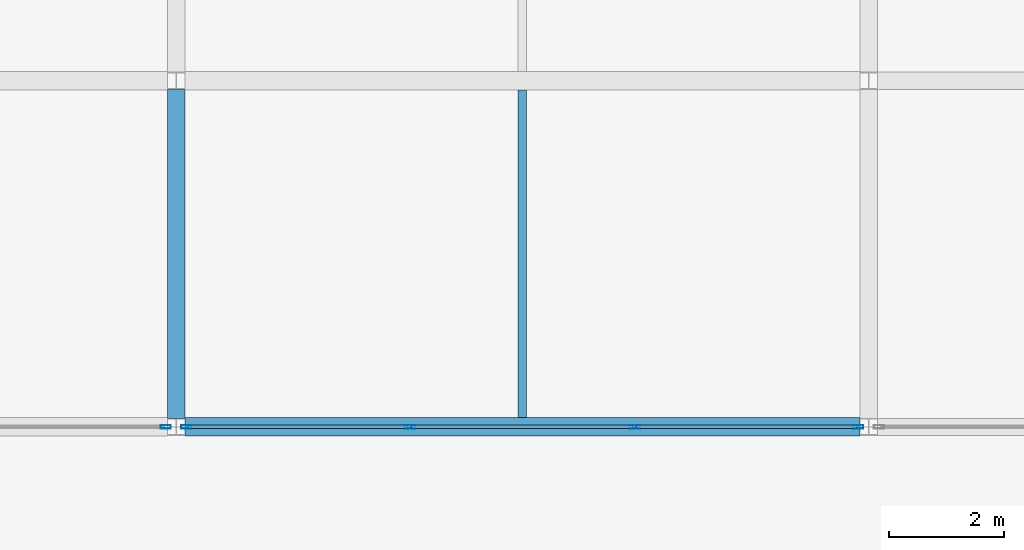
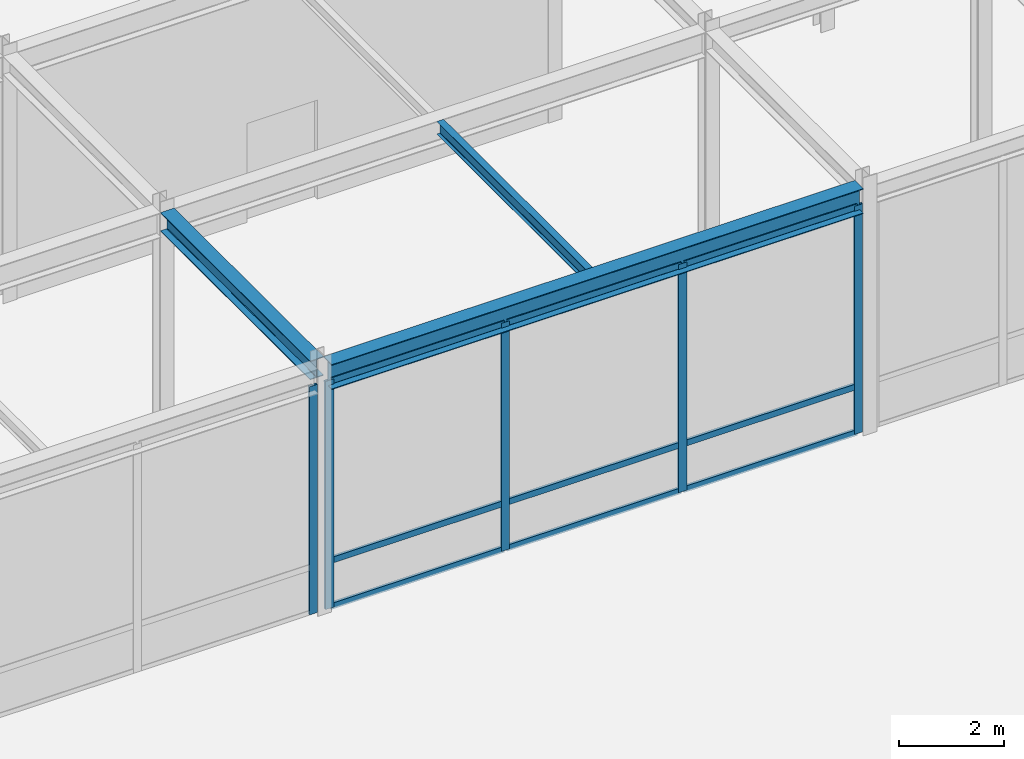
# One storey, part 89 of 108: 14 members, 3 beams, 2 elements without a shape of their own.
"""IFC4 building model written with IfcOpenShell, lengths in metres."""

from ifc_helpers import new_model, si_unit, direction, frame, origin, origin_2d, place, context, subcontext, project, spatial, hollow_rectangle, i_section, extrude, material, layer, layer_set, material_profile, profile_set, type_object, element, aggregate, save


model = new_model("IFC4")

# Units and contexts
model_context = context("Model", 3, precision=1e-05, world=origin(), true_north=direction((0.0, 1.0)))
body_context = subcontext(model_context, "Body", "Model", "MODEL_VIEW")
ifc_project = project(units=[si_unit("LENGTHUNIT", "METRE"), si_unit("AREAUNIT", "SQUARE_METRE"), si_unit("VOLUMEUNIT", "CUBIC_METRE"), si_unit("PLANEANGLEUNIT", "RADIAN"), si_unit("MASSUNIT", "GRAM", prefix="KILO")], contexts=[model_context])

# Site, building, storey
site_placement = place(None, origin())
site = spatial("IfcSite", under=ifc_project, at=site_placement, CompositionType="ELEMENT")
building_placement = place(site_placement, origin())
building = spatial("IfcBuilding", under=site, at=building_placement, Name="Zlatovratsky Civic Hall", CompositionType="ELEMENT")
storey_placement = place(building_placement, frame((0.0, 0.0, 6.0)))
storey = spatial("IfcBuildingStorey", under=building, at=storey_placement, Name="L02", CompositionType="ELEMENT", Elevation=6.0)

# Beams
ifc_material_1 = material(Name="Steel S355", Category="steel")
ifc_material_profile_1 = material_profile(ifc_material_1, i_section(OverallWidth=0.320068359375, OverallDepth=0.58203125, WebThickness=0.011962890625, FlangeThickness=0.01708984375, FilletRadius=0.02392578125, at=origin_2d()), Name="60Sh1")
ifc_profile_set_1 = profile_set([ifc_material_profile_1], Name="Steel S355")
beam_type_1 = type_object("IfcBeamType", Name="Beam_PodiumGirder_60Sh1", PredefinedType="BEAM", material=ifc_profile_set_1)
beam_1_placement = place(storey_placement, frame((132.14990234375, 66.0, 5.468994140625), z_axis=(1.0, 0.0, 0.0), x_axis=(0.0, 1.0, 0.0)))
element("IfcBeam", 1, at=beam_1_placement, inside=storey, type_object=beam_type_1, Name="BM-1881", PredefinedType="BEAM", context=body_context, shape_type="SweptSolid", body=[
    extrude(i_section(OverallWidth=0.320068359375, OverallDepth=0.58203125, WebThickness=0.011962890625, FlangeThickness=0.01708984375, FilletRadius=0.02392578125, at=origin_2d()), origin(), (0.0, 0.0, 1.0), 11.7001953125),
])
ifc_material_profile_2 = material_profile(ifc_material_1, i_section(OverallWidth=0.300048828125, OverallDepth=0.43994140625, WebThickness=0.010986328125, FlangeThickness=0.01806640625, FilletRadius=0.02197265625, at=origin_2d()), Name="45Sh1")
ifc_profile_set_2 = profile_set([ifc_material_profile_2], Name="Steel S355")
beam_type_2 = type_object("IfcBeamType", Name="Beam_TowerLow_45Sh1", PredefinedType="BEAM", material=ifc_profile_set_2)
beam_2_placement = place(storey_placement, frame((132.0, 66.14990234375, 5.5400390625), z_axis=(0.0, 1.0, 0.0), x_axis=(-1.0, 0.0, 0.0)))
element("IfcBeam", 2, at=beam_2_placement, inside=storey, type_object=beam_type_2, Name="BM-2319", PredefinedType="BEAM", context=body_context, shape_type="SweptSolid", body=[
    extrude(i_section(OverallWidth=0.300048828125, OverallDepth=0.43994140625, WebThickness=0.010986328125, FlangeThickness=0.01806640625, FilletRadius=0.02197265625, at=origin_2d()), origin(), (0.0, 0.0, 1.0), 5.7001953125),
])

# Curtain wall, member
ifc_material_2 = material(Name="Anodised bronze aluminium", Category="aluminium")
ifc_layer = layer(ifc_material_2, 0.159912109375)
ifc_layer_set = layer_set([ifc_layer], Name="Anodised bronze aluminium")
curtain_wall_type = type_object("IfcCurtainWallType", Name="CurtainWall_Bronze_11700x5310_05", PredefinedType="NOTDEFINED", material=ifc_layer_set)
curtain_wall_1_placement = place(storey_placement, origin())
curtain_wall_1 = element("IfcCurtainWall", 3, at=curtain_wall_1_placement, inside=storey, type_object=curtain_wall_type, Name="CW-030", PredefinedType="NOTDEFINED")
ifc_material_profile_3 = material_profile(ifc_material_2, hollow_rectangle(XDim=0.06005859375, YDim=0.179931640625, WallThickness=0.00390625, at=origin_2d()), Name="ALU 60x180x4")
ifc_profile_set_3 = profile_set([ifc_material_profile_3], Name="Anodised bronze aluminium")
member_type_1 = type_object("IfcMemberType", Name="CW_Mullion_60x180", PredefinedType="MULLION", material=ifc_profile_set_3)
member_1_placement = place(storey_placement, frame((131.820068359375, 66.0, 0.0), z_axis=(0.0, 0.0, 1.0), x_axis=(0.0, 1.0, 0.0)))
member_1 = element("IfcMember", 4, at=member_1_placement, type_object=member_type_1, Name="CW-05 mullion 4", PredefinedType="MULLION", context=body_context, shape_type="SweptSolid", body=[
    extrude(hollow_rectangle(XDim=0.06005859375, YDim=0.179931640625, WallThickness=0.00390625, at=origin_2d()), origin(), (0.0, 0.0, 1.0), 5.31005859375),
])
aggregate(curtain_wall_1, [member_1])

# Curtain wall, members
curtain_wall_2_placement = place(storey_placement, origin())
curtain_wall_2 = element("IfcCurtainWall", 5, at=curtain_wall_2_placement, inside=storey, type_object=curtain_wall_type, Name="CW-031", PredefinedType="NOTDEFINED")
member_2_placement = place(storey_placement, frame((132.179931640625, 66.0, 0.0), z_axis=(0.0, 0.0, 1.0), x_axis=(0.0, 1.0, 0.0)))
member_2 = element("IfcMember", 6, at=member_2_placement, type_object=member_type_1, Name="CW-05 mullion 1", PredefinedType="MULLION", context=body_context, shape_type="SweptSolid", body=[
    extrude(hollow_rectangle(XDim=0.06005859375, YDim=0.179931640625, WallThickness=0.00390625, at=origin_2d()), origin(), (0.0, 0.0, 1.0), 5.31005859375),
])
member_3_placement = place(storey_placement, frame((136.050048828125, 66.0, 0.0), z_axis=(0.0, 0.0, 1.0), x_axis=(0.0, 1.0, 0.0)))
member_3 = element("IfcMember", 7, at=member_3_placement, type_object=member_type_1, Name="CW-05 mullion 2", PredefinedType="MULLION", context=body_context, shape_type="SweptSolid", body=[
    extrude(hollow_rectangle(XDim=0.06005859375, YDim=0.179931640625, WallThickness=0.00390625, at=origin_2d()), origin(), (0.0, 0.0, 1.0), 5.31005859375),
])
member_4_placement = place(storey_placement, frame((139.949951171875, 66.0, 0.0), z_axis=(0.0, 0.0, 1.0), x_axis=(0.0, 1.0, 0.0)))
member_4 = element("IfcMember", 8, at=member_4_placement, type_object=member_type_1, Name="CW-05 mullion 3", PredefinedType="MULLION", context=body_context, shape_type="SweptSolid", body=[
    extrude(hollow_rectangle(XDim=0.06005859375, YDim=0.179931640625, WallThickness=0.00390625, at=origin_2d()), origin(), (0.0, 0.0, 1.0), 5.31005859375),
])
member_5_placement = place(storey_placement, frame((143.820068359375, 66.0, 0.0), z_axis=(0.0, 0.0, 1.0), x_axis=(0.0, 1.0, 0.0)))
member_5 = element("IfcMember", 9, at=member_5_placement, type_object=member_type_1, Name="CW-05 mullion 4", PredefinedType="MULLION", context=body_context, shape_type="SweptSolid", body=[
    extrude(hollow_rectangle(XDim=0.06005859375, YDim=0.179931640625, WallThickness=0.00390625, at=origin_2d()), origin(), (0.0, 0.0, 1.0), 5.31005859375),
])
ifc_material_profile_4 = material_profile(ifc_material_2, hollow_rectangle(XDim=0.06005859375, YDim=0.139892578125, WallThickness=0.00390625, at=origin_2d()), Name="ALU 60x140x4")
ifc_profile_set_4 = profile_set([ifc_material_profile_4], Name="Anodised bronze aluminium")
member_type_2 = type_object("IfcMemberType", Name="CW_Transom_60x140", PredefinedType="USERDEFINED", material=ifc_profile_set_4)
member_6_placement = place(storey_placement, frame((132.2099609375, 66.0, 0.030029296875), z_axis=(1.0, 0.0, 0.0), x_axis=(0.0, 1.0, 0.0)))
member_6 = element("IfcMember", 10, at=member_6_placement, type_object=member_type_2, Name="CW-05 transom 1.1", ObjectType="TRANSOM", PredefinedType="USERDEFINED", context=body_context, shape_type="SweptSolid", body=[
    extrude(hollow_rectangle(XDim=0.06005859375, YDim=0.139892578125, WallThickness=0.00390625, at=origin_2d()), origin(), (0.0, 0.0, 1.0), 3.81005859375),
])
member_7_placement = place(storey_placement, frame((132.2099609375, 66.0, 1.10009765625), z_axis=(1.0, 0.0, 0.0), x_axis=(0.0, 1.0, 0.0)))
member_7 = element("IfcMember", 11, at=member_7_placement, type_object=member_type_2, Name="CW-05 transom 1.2", ObjectType="TRANSOM", PredefinedType="USERDEFINED", context=body_context, shape_type="SweptSolid", body=[
    extrude(hollow_rectangle(XDim=0.06005859375, YDim=0.139892578125, WallThickness=0.00390625, at=origin_2d()), origin(), (0.0, 0.0, 1.0), 3.81005859375),
])
member_8_placement = place(storey_placement, frame((132.2099609375, 66.0, 5.280029296875), z_axis=(1.0, 0.0, 0.0), x_axis=(0.0, 1.0, 0.0)))
member_8 = element("IfcMember", 12, at=member_8_placement, type_object=member_type_2, Name="CW-05 transom 1.3", ObjectType="TRANSOM", PredefinedType="USERDEFINED", context=body_context, shape_type="SweptSolid", body=[
    extrude(hollow_rectangle(XDim=0.06005859375, YDim=0.139892578125, WallThickness=0.00390625, at=origin_2d()), origin(), (0.0, 0.0, 1.0), 3.81005859375),
])
member_9_placement = place(storey_placement, frame((136.080078125, 66.0, 0.030029296875), z_axis=(1.0, 0.0, 0.0), x_axis=(0.0, 1.0, 0.0)))
member_9 = element("IfcMember", 13, at=member_9_placement, type_object=member_type_2, Name="CW-05 transom 2.1", ObjectType="TRANSOM", PredefinedType="USERDEFINED", context=body_context, shape_type="SweptSolid", body=[
    extrude(hollow_rectangle(XDim=0.06005859375, YDim=0.139892578125, WallThickness=0.00390625, at=origin_2d()), origin(), (0.0, 0.0, 1.0), 3.83984375),
])
member_10_placement = place(storey_placement, frame((136.080078125, 66.0, 1.10009765625), z_axis=(1.0, 0.0, 0.0), x_axis=(0.0, 1.0, 0.0)))
member_10 = element("IfcMember", 14, at=member_10_placement, type_object=member_type_2, Name="CW-05 transom 2.2", ObjectType="TRANSOM", PredefinedType="USERDEFINED", context=body_context, shape_type="SweptSolid", body=[
    extrude(hollow_rectangle(XDim=0.06005859375, YDim=0.139892578125, WallThickness=0.00390625, at=origin_2d()), origin(), (0.0, 0.0, 1.0), 3.83984375),
])
member_11_placement = place(storey_placement, frame((136.080078125, 66.0, 5.280029296875), z_axis=(1.0, 0.0, 0.0), x_axis=(0.0, 1.0, 0.0)))
member_11 = element("IfcMember", 15, at=member_11_placement, type_object=member_type_2, Name="CW-05 transom 2.3", ObjectType="TRANSOM", PredefinedType="USERDEFINED", context=body_context, shape_type="SweptSolid", body=[
    extrude(hollow_rectangle(XDim=0.06005859375, YDim=0.139892578125, WallThickness=0.00390625, at=origin_2d()), origin(), (0.0, 0.0, 1.0), 3.83984375),
])
member_12_placement = place(storey_placement, frame((139.97998046875, 66.0, 0.030029296875), z_axis=(1.0, 0.0, 0.0), x_axis=(0.0, 1.0, 0.0)))
member_12 = element("IfcMember", 16, at=member_12_placement, type_object=member_type_2, Name="CW-05 transom 3.1", ObjectType="TRANSOM", PredefinedType="USERDEFINED", context=body_context, shape_type="SweptSolid", body=[
    extrude(hollow_rectangle(XDim=0.06005859375, YDim=0.139892578125, WallThickness=0.00390625, at=origin_2d()), origin(), (0.0, 0.0, 1.0), 3.81005859375),
])
member_13_placement = place(storey_placement, frame((139.97998046875, 66.0, 1.10009765625), z_axis=(1.0, 0.0, 0.0), x_axis=(0.0, 1.0, 0.0)))
member_13 = element("IfcMember", 17, at=member_13_placement, type_object=member_type_2, Name="CW-05 transom 3.2", ObjectType="TRANSOM", PredefinedType="USERDEFINED", context=body_context, shape_type="SweptSolid", body=[
    extrude(hollow_rectangle(XDim=0.06005859375, YDim=0.139892578125, WallThickness=0.00390625, at=origin_2d()), origin(), (0.0, 0.0, 1.0), 3.81005859375),
])
member_14_placement = place(storey_placement, frame((139.97998046875, 66.0, 5.280029296875), z_axis=(1.0, 0.0, 0.0), x_axis=(0.0, 1.0, 0.0)))
member_14 = element("IfcMember", 18, at=member_14_placement, type_object=member_type_2, Name="CW-05 transom 3.3", ObjectType="TRANSOM", PredefinedType="USERDEFINED", context=body_context, shape_type="SweptSolid", body=[
    extrude(hollow_rectangle(XDim=0.06005859375, YDim=0.139892578125, WallThickness=0.00390625, at=origin_2d()), origin(), (0.0, 0.0, 1.0), 3.81005859375),
])
aggregate(curtain_wall_2, [member_2, member_3, member_4, member_5, member_6, member_7, member_8, member_9, member_10, member_11, member_12, member_13, member_14])

# Beam
ifc_material_profile_5 = material_profile(ifc_material_1, i_section(OverallWidth=0.14990234375, OverallDepth=0.300048828125, WebThickness=0.006591796875, FlangeThickness=0.009033203125, FilletRadius=0.012939453125, at=origin_2d()), Name="30B2")
ifc_profile_set_5 = profile_set([ifc_material_profile_5], Name="Steel S355")
beam_type_3 = type_object("IfcBeamType", Name="Joist_Podium_30B2", PredefinedType="JOIST", material=ifc_profile_set_5)
beam_3_placement = place(storey_placement, frame((138.0, 66.159912109375, 5.610107421875), z_axis=(0.0, 1.0, 0.0), x_axis=(-1.0, 0.0, 0.0)))
element("IfcBeam", 19, at=beam_3_placement, inside=storey, type_object=beam_type_3, Name="BM-2423", PredefinedType="JOIST", context=body_context, shape_type="SweptSolid", body=[
    extrude(i_section(OverallWidth=0.14990234375, OverallDepth=0.300048828125, WebThickness=0.006591796875, FlangeThickness=0.009033203125, FilletRadius=0.012939453125, at=origin_2d()), origin(), (0.0, 0.0, 1.0), 5.68017578125),
])

save(model, "model.ifc")
